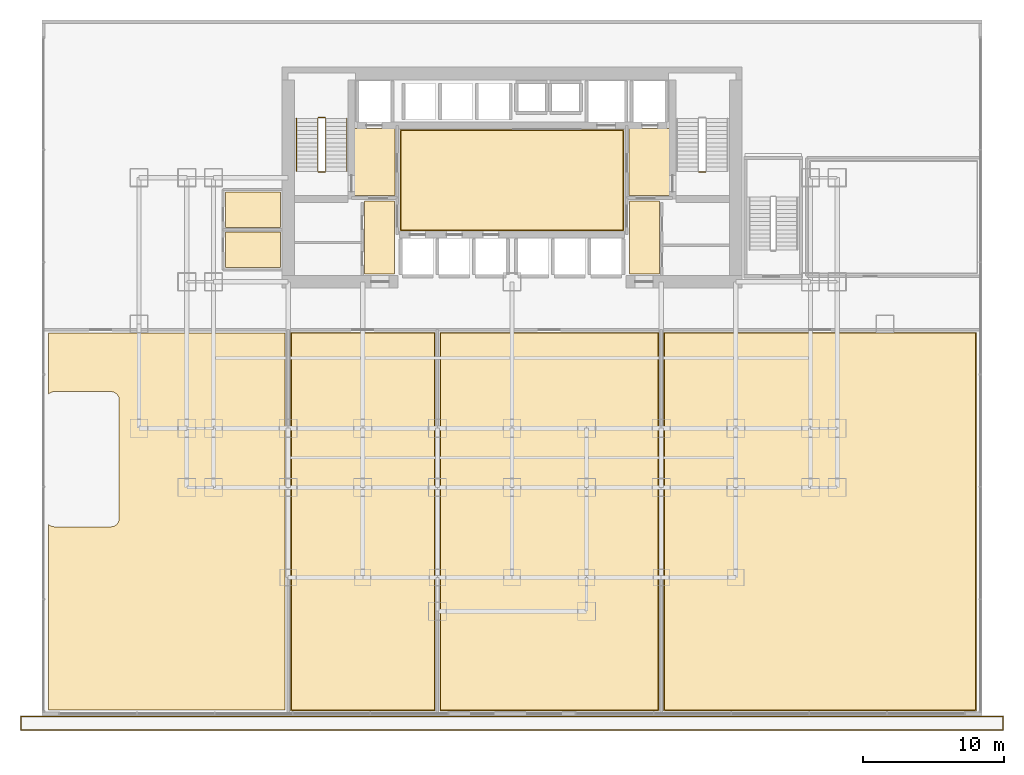
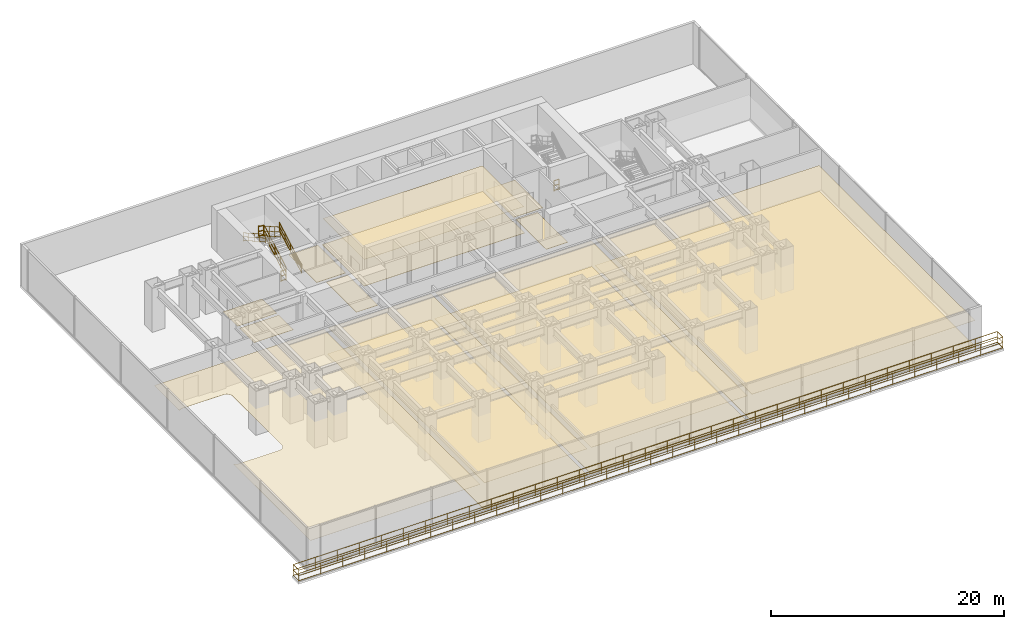
# One storey, part 12 of 13: 15 coverings, 8 railings.
"""IFC4 building model written with IfcOpenShell, lengths in metres."""

from ifc_helpers import new_model, si_unit, direction, frame, origin, origin_2d, place, context, subcontext, project, spatial, polyline, circle, outline, extrude, material, layer, layer_set, type_object, element, save


model = new_model("IFC4")

# Units and contexts
model_context = context("Model", 3, precision=1e-05, world=origin(), true_north=direction((0.0, 1.0)))
body_context = subcontext(model_context, "Body", "Model", "MODEL_VIEW")
ifc_project = project(units=[si_unit("LENGTHUNIT", "METRE"), si_unit("AREAUNIT", "SQUARE_METRE"), si_unit("VOLUMEUNIT", "CUBIC_METRE"), si_unit("PLANEANGLEUNIT", "RADIAN"), si_unit("MASSUNIT", "GRAM", prefix="KILO")], contexts=[model_context])

# Site, building, storey
site_placement = place(None, origin())
site = spatial("IfcSite", under=ifc_project, at=site_placement, CompositionType="ELEMENT")
building_placement = place(site_placement, origin())
building = spatial("IfcBuilding", under=site, at=building_placement, Name="Qianlan Lanfeng Residences", CompositionType="ELEMENT")
storey_placement = place(building_placement, frame((0.0, 0.0, 9.800048828125)))
storey = spatial("IfcBuildingStorey", under=building, at=storey_placement, Name="L02", CompositionType="ELEMENT", Elevation=9.800048828125)

# Coverings
ifc_material_1 = material(Name="Acoustic Perforated Gypsum Ceiling Board")
ifc_layer_1 = layer(ifc_material_1, 0.02001953125)
ifc_layer_set_1 = layer_set([ifc_layer_1], Name="Acoustic Perforated Gypsum Ceiling Board")
covering_type_1 = type_object("IfcCoveringType", Name="CLG-GYP-15", PredefinedType="CEILING", material=ifc_layer_set_1)
covering_1_placement = place(storey_placement, frame((0.0, 0.0, 2.75)))
element("IfcCovering", 1, at=covering_1_placement, inside=storey, type_object=covering_type_1, Name="L02 Lift Lobby Suspended Ceiling", PredefinedType="CEILING", context=body_context, shape_type="SweptSolid", body=[
    extrude(outline(polyline([(18.60009765625, 28.8701171875), (34.39990234375, 28.8701171875), (34.39990234375, 35.9599609375), (18.60009765625, 35.9599609375), (18.60009765625, 28.8701171875)])), origin(), (0.0, 0.0, 1.0), 0.02001953125),
])
covering_2_placement = place(storey_placement, frame((0.0, 0.0, 2.75)))
element("IfcCovering", 2, at=covering_2_placement, inside=storey, type_object=covering_type_1, Name="L02 Childcare Nursery Suspended Ceiling", PredefinedType="CEILING", context=body_context, shape_type="SweptSolid", body=[
    extrude(outline(polyline([(-6.429931640625, -5.22998046875), (10.3798828125, -5.22998046875), (10.3798828125, 21.56005859375), (-6.429931640625, 21.56005859375), (-6.429931640625, 17.218017578125), (-6.412109375, 17.236083984375), (-6.39404296875, 17.2529296875), (-6.366943359375, 17.27392578125), (-6.346923828125, 17.2890625), (-6.319091796875, 17.30810546875), (-6.298095703125, 17.321044921875), (-6.26708984375, 17.3369140625), (-6.2451171875, 17.346923828125), (-6.214111328125, 17.361083984375), (-6.18994140625, 17.368896484375), (-6.157958984375, 17.37890625), (-6.134033203125, 17.385009765625), (-6.10009765625, 17.39111328125), (-6.075927734375, 17.39501953125), (-6.0419921875, 17.39794921875), (-6.01708984375, 17.39990234375), (-6.0, 17.39990234375), (-2.0, 17.39990234375), (-1.98291015625, 17.39990234375), (-1.9580078125, 17.39794921875), (-1.924072265625, 17.39501953125), (-1.89990234375, 17.39111328125), (-1.865966796875, 17.385009765625), (-1.842041015625, 17.37890625), (-1.81005859375, 17.368896484375), (-1.785888671875, 17.361083984375), (-1.7548828125, 17.346923828125), (-1.73291015625, 17.3369140625), (-1.701904296875, 17.321044921875), (-1.680908203125, 17.30810546875), (-1.653076171875, 17.2890625), (-1.633056640625, 17.27392578125), (-1.60595703125, 17.2529296875), (-1.587890625, 17.236083984375), (-1.56396484375, 17.2119140625), (-1.547119140625, 17.194091796875), (-1.52587890625, 17.1669921875), (-1.510986328125, 17.14697265625), (-1.491943359375, 17.118896484375), (-1.47900390625, 17.097900390625), (-1.462890625, 17.06689453125), (-1.452880859375, 17.044921875), (-1.43896484375, 17.013916015625), (-1.430908203125, 16.989990234375), (-1.4208984375, 16.9580078125), (-1.4150390625, 16.93408203125), (-1.408935546875, 16.89990234375), (-1.405029296875, 16.8759765625), (-1.402099609375, 16.842041015625), (-1.39990234375, 16.81689453125), (-1.39990234375, 16.800048828125), (-1.39990234375, 8.39990234375), (-1.39990234375, 8.383056640625), (-1.402099609375, 8.35791015625), (-1.405029296875, 8.323974609375), (-1.408935546875, 8.300048828125), (-1.4150390625, 8.26611328125), (-1.4208984375, 8.241943359375), (-1.430908203125, 8.2099609375), (-1.43896484375, 8.18603515625), (-1.452880859375, 8.155029296875), (-1.462890625, 8.133056640625), (-1.47900390625, 8.10205078125), (-1.491943359375, 8.0810546875), (-1.510986328125, 8.052978515625), (-1.52587890625, 8.032958984375), (-1.547119140625, 8.006103515625), (-1.56396484375, 7.988037109375), (-1.587890625, 7.964111328125), (-1.60595703125, 7.947021484375), (-1.633056640625, 7.926025390625), (-1.653076171875, 7.910888671875), (-1.680908203125, 7.89208984375), (-1.701904296875, 7.87890625), (-1.73291015625, 7.863037109375), (-1.7548828125, 7.85302734375), (-1.785888671875, 7.839111328125), (-1.81005859375, 7.8310546875), (-1.842041015625, 7.821044921875), (-1.865966796875, 7.81494140625), (-1.89990234375, 7.80908203125), (-1.924072265625, 7.804931640625), (-1.9580078125, 7.802001953125), (-1.98291015625, 7.800048828125), (-2.0, 7.800048828125), (-6.0, 7.800048828125), (-6.01708984375, 7.800048828125), (-6.0419921875, 7.802001953125), (-6.075927734375, 7.804931640625), (-6.10009765625, 7.80908203125), (-6.134033203125, 7.81494140625), (-6.157958984375, 7.821044921875), (-6.18994140625, 7.8310546875), (-6.214111328125, 7.839111328125), (-6.2451171875, 7.85302734375), (-6.26708984375, 7.863037109375), (-6.298095703125, 7.87890625), (-6.319091796875, 7.89208984375), (-6.346923828125, 7.910888671875), (-6.366943359375, 7.926025390625), (-6.39404296875, 7.947021484375), (-6.412109375, 7.964111328125), (-6.429931640625, 7.98193359375), (-6.429931640625, -5.22998046875)])), origin(), (0.0, 0.0, 1.0), 0.02001953125),
])
covering_3_placement = place(storey_placement, frame((0.0, 0.0, 2.75)))
element("IfcCovering", 3, at=covering_3_placement, inside=storey, type_object=covering_type_1, Name="L02 Children Playroom Suspended Ceiling", PredefinedType="CEILING", context=body_context, shape_type="SweptSolid", body=[
    extrude(outline(polyline([(10.820068359375, -5.22998046875), (20.97998046875, -5.22998046875), (20.97998046875, 21.56005859375), (10.820068359375, 21.56005859375), (10.820068359375, -5.22998046875)])), origin(), (0.0, 0.0, 1.0), 0.02001953125),
])
covering_4_placement = place(storey_placement, frame((0.0, 0.0, 2.75)))
element("IfcCovering", 4, at=covering_4_placement, inside=storey, type_object=covering_type_1, Name="L02 Aerobics Studio Suspended Ceiling", PredefinedType="CEILING", context=body_context, shape_type="SweptSolid", body=[
    extrude(outline(polyline([(21.419921875, -5.22998046875), (36.8798828125, -5.22998046875), (36.8798828125, 21.56005859375), (21.419921875, 21.56005859375), (21.419921875, -5.22998046875)])), origin(), (0.0, 0.0, 1.0), 0.02001953125),
])
covering_5_placement = place(storey_placement, frame((0.0, 0.0, 2.75)))
element("IfcCovering", 5, at=covering_5_placement, inside=storey, type_object=covering_type_1, Name="L02 Fitness Gymnasium Suspended Ceiling", PredefinedType="CEILING", context=body_context, shape_type="SweptSolid", body=[
    extrude(outline(polyline([(37.320068359375, -5.22998046875), (59.429931640625, -5.22998046875), (59.429931640625, 21.56005859375), (37.320068359375, 21.56005859375), (37.320068359375, -5.22998046875)])), origin(), (0.0, 0.0, 1.0), 0.02001953125),
])
ifc_material_2 = material(Name="Honed Taitung Granite Stone Flooring", Category="masonry")
ifc_layer_2 = layer(ifc_material_2, 0.030029296875)
ifc_layer_set_2 = layer_set([ifc_layer_2], Name="Honed Taitung Granite Stone Flooring")
covering_type_2 = type_object("IfcCoveringType", Name="FLR-STN-30", PredefinedType="FLOORING", material=ifc_layer_set_2)
covering_6_placement = place(storey_placement, origin())
element("IfcCovering", 6, at=covering_6_placement, inside=storey, type_object=covering_type_2, Name="L02 Firefighting Lift Lobby Floor Finish", PredefinedType="FLOORING", context=body_context, shape_type="SweptSolid", body=[
    extrude(outline(polyline([(15.2900390625, 31.320068359375), (18.179931640625, 31.320068359375), (18.179931640625, 36.110107421875), (15.2900390625, 36.110107421875), (15.2900390625, 31.320068359375)])), origin(), (0.0, 0.0, 1.0), 0.030029296875),
])
covering_7_placement = place(storey_placement, origin())
element("IfcCovering", 7, at=covering_7_placement, inside=storey, type_object=covering_type_2, Name="L02 Firefighting Lift Lobby Floor Finish", PredefinedType="FLOORING", context=body_context, shape_type="SweptSolid", body=[
    extrude(outline(polyline([(34.820068359375, 31.320068359375), (37.7099609375, 31.320068359375), (37.7099609375, 36.110107421875), (34.820068359375, 36.110107421875), (34.820068359375, 31.320068359375)])), origin(), (0.0, 0.0, 1.0), 0.030029296875),
])
covering_8_placement = place(storey_placement, origin())
element("IfcCovering", 8, at=covering_8_placement, inside=storey, type_object=covering_type_2, Name="L02 Lift Lobby Floor Finish", PredefinedType="FLOORING", context=body_context, shape_type="SweptSolid", body=[
    extrude(outline(polyline([(18.550048828125, 28.820068359375), (34.449951171875, 28.820068359375), (34.449951171875, 36.010009765625), (18.550048828125, 36.010009765625), (18.550048828125, 28.820068359375)])), origin(), (0.0, 0.0, 1.0), 0.030029296875),
])
covering_9_placement = place(storey_placement, origin())
element("IfcCovering", 9, at=covering_9_placement, inside=storey, type_object=covering_type_2, Name="L02 Lift Lobby Floor Finish", PredefinedType="FLOORING", context=body_context, shape_type="SweptSolid", body=[
    extrude(outline(polyline([(16.030029296875, 25.77001953125), (18.169921875, 25.77001953125), (18.169921875, 30.949951171875), (16.030029296875, 30.949951171875), (16.030029296875, 25.77001953125)])), origin(), (0.0, 0.0, 1.0), 0.030029296875),
])
covering_10_placement = place(storey_placement, origin())
element("IfcCovering", 10, at=covering_10_placement, inside=storey, type_object=covering_type_2, Name="L02 Lift Lobby Floor Finish", PredefinedType="FLOORING", context=body_context, shape_type="SweptSolid", body=[
    extrude(outline(polyline([(34.830078125, 25.77001953125), (36.969970703125, 25.77001953125), (36.969970703125, 30.949951171875), (34.830078125, 30.949951171875), (34.830078125, 25.77001953125)])), origin(), (0.0, 0.0, 1.0), 0.030029296875),
])
ifc_material_3 = material(Name="Slip-Resistant Porcelain Tile Flooring")
ifc_layer_3 = layer(ifc_material_3, 0.02001953125)
ifc_layer_set_3 = layer_set([ifc_layer_3], Name="Slip-Resistant Porcelain Tile Flooring")
covering_type_3 = type_object("IfcCoveringType", Name="FLR-TIL-20", PredefinedType="FLOORING", material=ifc_layer_set_3)
covering_11_placement = place(storey_placement, origin())
element("IfcCovering", 11, at=covering_11_placement, inside=storey, type_object=covering_type_3, Name="L02 Public Restroom Floor Finish", PredefinedType="FLOORING", context=body_context, shape_type="SweptSolid", body=[
    extrude(outline(polyline([(6.14990234375, 26.219970703125), (10.0400390625, 26.219970703125), (10.0400390625, 28.72998046875), (6.14990234375, 28.72998046875), (6.14990234375, 26.219970703125)])), origin(), (0.0, 0.0, 1.0), 0.02001953125),
])
covering_12_placement = place(storey_placement, origin())
element("IfcCovering", 12, at=covering_12_placement, inside=storey, type_object=covering_type_3, Name="L02 Accessible WC Floor Finish", PredefinedType="FLOORING", context=body_context, shape_type="SweptSolid", body=[
    extrude(outline(polyline([(6.14990234375, 29.070068359375), (10.0400390625, 29.070068359375), (10.0400390625, 31.580078125), (6.14990234375, 31.580078125), (6.14990234375, 29.070068359375)])), origin(), (0.0, 0.0, 1.0), 0.02001953125),
])
ifc_material_4 = material(Name="Engineered Smoked Oak Timber Flooring", Category="wood")
ifc_layer_4 = layer(ifc_material_4, 0.02197265625)
ifc_layer_set_4 = layer_set([ifc_layer_4], Name="Engineered Smoked Oak Timber Flooring")
covering_type_4 = type_object("IfcCoveringType", Name="FLR-TIM-22", PredefinedType="FLOORING", material=ifc_layer_set_4)
covering_13_placement = place(storey_placement, origin())
element("IfcCovering", 13, at=covering_13_placement, inside=storey, type_object=covering_type_4, Name="L02 Children Playroom Floor Finish", PredefinedType="FLOORING", context=body_context, shape_type="SweptSolid", body=[
    extrude(outline(polyline([(10.77001953125, -5.280029296875), (21.030029296875, -5.280029296875), (21.030029296875, 21.610107421875), (10.77001953125, 21.610107421875), (10.77001953125, -5.280029296875)])), origin(), (0.0, 0.0, 1.0), 0.02197265625),
])
covering_14_placement = place(storey_placement, origin())
element("IfcCovering", 14, at=covering_14_placement, inside=storey, type_object=covering_type_4, Name="L02 Aerobics Studio Floor Finish", PredefinedType="FLOORING", context=body_context, shape_type="SweptSolid", body=[
    extrude(outline(polyline([(21.3701171875, -5.280029296875), (36.929931640625, -5.280029296875), (36.929931640625, 21.610107421875), (21.3701171875, 21.610107421875), (21.3701171875, -5.280029296875)])), origin(), (0.0, 0.0, 1.0), 0.02197265625),
])
covering_15_placement = place(storey_placement, origin())
element("IfcCovering", 15, at=covering_15_placement, inside=storey, type_object=covering_type_4, Name="L02 Fitness Gymnasium Floor Finish", PredefinedType="FLOORING", context=body_context, shape_type="SweptSolid", body=[
    extrude(outline(polyline([(37.27001953125, -5.280029296875), (59.47998046875, -5.280029296875), (59.47998046875, 21.610107421875), (37.27001953125, 21.610107421875), (37.27001953125, -5.280029296875)])), origin(), (0.0, 0.0, 1.0), 0.02197265625),
])

# Railings
ifc_material_5 = material(Name="Anodised Bronze Aluminium and Laminated Glass Guard Balustrade", Category="aluminium")
railing_type_1 = type_object("IfcRailingType", Name="GR-EXT-1220", PredefinedType="BALUSTRADE", material=ifc_material_5)
railing_1_placement = place(storey_placement, frame((-8.3798828125, -5.669921875, 0.0)))
element("IfcRailing", 16, at=railing_1_placement, inside=storey, type_object=railing_type_1, Name="L02 Terrace Safety Guard GR-L02-TER", PredefinedType="BALUSTRADE", context=body_context, shape_type="SweptSolid", body=[
    extrude(circle(Radius=0.02490234375, at=origin_2d()), frame((0.0, 0.0, 0.0849609375), z_axis=(1.0, 0.0, 0.0), x_axis=(0.0, 1.0, 0.0)), (0.0, 0.0, 1.0), 69.759765625),
    extrude(circle(Radius=0.02490234375, at=origin_2d()), frame((0.0, 0.0, 0.63427734375), z_axis=(1.0, 0.0, 0.0), x_axis=(0.0, 1.0, 0.0)), (0.0, 0.0, 1.0), 69.759765625),
    extrude(circle(Radius=0.02490234375, at=origin_2d()), frame((0.0, 0.0, 1.19482421875), z_axis=(1.0, 0.0, 0.0), x_axis=(0.0, 1.0, 0.0)), (0.0, 0.0, 1.0), 69.759765625),
    extrude(circle(Radius=0.02490234375, at=origin_2d()), frame((69.759765625, 0.0, 0.0849609375), z_axis=(0.0, -1.0, 0.0), x_axis=(1.0, 0.0, 0.0)), (0.0, 0.0, 1.0), 0.9599609375),
    extrude(circle(Radius=0.02490234375, at=origin_2d()), frame((69.759765625, 0.0, 0.63427734375), z_axis=(0.0, -1.0, 0.0), x_axis=(1.0, 0.0, 0.0)), (0.0, 0.0, 1.0), 0.9599609375),
    extrude(circle(Radius=0.02490234375, at=origin_2d()), frame((69.759765625, 0.0, 1.19482421875), z_axis=(0.0, -1.0, 0.0), x_axis=(1.0, 0.0, 0.0)), (0.0, 0.0, 1.0), 0.9599609375),
    extrude(circle(Radius=0.02490234375, at=origin_2d()), frame((69.759765625, -0.9599609375, 0.0849609375), z_axis=(-1.0, 0.0, 0.0), x_axis=(0.0, -1.0, 0.0)), (0.0, 0.0, 1.0), 69.759765625),
    extrude(circle(Radius=0.02490234375, at=origin_2d()), frame((69.759765625, -0.9599609375, 0.63427734375), z_axis=(-1.0, 0.0, 0.0), x_axis=(0.0, -1.0, 0.0)), (0.0, 0.0, 1.0), 69.759765625),
    extrude(circle(Radius=0.02490234375, at=origin_2d()), frame((69.759765625, -0.9599609375, 1.19482421875), z_axis=(-1.0, 0.0, 0.0), x_axis=(0.0, -1.0, 0.0)), (0.0, 0.0, 1.0), 69.759765625),
    extrude(circle(Radius=0.02490234375, at=origin_2d()), frame((0.0, -0.9599609375, 0.0849609375), z_axis=(0.0, 1.0, 0.0), x_axis=(-1.0, 0.0, 0.0)), (0.0, 0.0, 1.0), 0.9599609375),
    extrude(circle(Radius=0.02490234375, at=origin_2d()), frame((0.0, -0.9599609375, 0.63427734375), z_axis=(0.0, 1.0, 0.0), x_axis=(-1.0, 0.0, 0.0)), (0.0, 0.0, 1.0), 0.9599609375),
    extrude(circle(Radius=0.02490234375, at=origin_2d()), frame((0.0, -0.9599609375, 1.19482421875), z_axis=(0.0, 1.0, 0.0), x_axis=(-1.0, 0.0, 0.0)), (0.0, 0.0, 1.0), 0.9599609375),
    extrude(circle(Radius=0.02099609375, at=origin_2d()), origin(), (0.0, 0.0, 1.0), 1.169921875),
    extrude(circle(Radius=0.02099609375, at=origin_2d()), frame((2.179931640625, 0.0, 0.0)), (0.0, 0.0, 1.0), 1.169921875),
    extrude(circle(Radius=0.02099609375, at=origin_2d()), frame((4.35986328125, 0.0, 0.0)), (0.0, 0.0, 1.0), 1.169921875),
    extrude(circle(Radius=0.02099609375, at=origin_2d()), frame((6.5400390625, 0.0, 0.0)), (0.0, 0.0, 1.0), 1.169921875),
    extrude(circle(Radius=0.02099609375, at=origin_2d()), frame((8.719970703125, 0.0, 0.0)), (0.0, 0.0, 1.0), 1.169921875),
    extrude(circle(Radius=0.02099609375, at=origin_2d()), frame((10.89990234375, 0.0, 0.0)), (0.0, 0.0, 1.0), 1.169921875),
    extrude(circle(Radius=0.02099609375, at=origin_2d()), frame((13.080078125, 0.0, 0.0)), (0.0, 0.0, 1.0), 1.169921875),
    extrude(circle(Radius=0.02099609375, at=origin_2d()), frame((15.260009765625, 0.0, 0.0)), (0.0, 0.0, 1.0), 1.169921875),
    extrude(circle(Radius=0.02099609375, at=origin_2d()), frame((17.43994140625, 0.0, 0.0)), (0.0, 0.0, 1.0), 1.169921875),
    extrude(circle(Radius=0.02099609375, at=origin_2d()), frame((19.619873046875, 0.0, 0.0)), (0.0, 0.0, 1.0), 1.169921875),
    extrude(circle(Radius=0.02099609375, at=origin_2d()), frame((21.7998046875, 0.0, 0.0)), (0.0, 0.0, 1.0), 1.169921875),
    extrude(circle(Radius=0.02099609375, at=origin_2d()), frame((23.97998046875, 0.0, 0.0)), (0.0, 0.0, 1.0), 1.169921875),
    extrude(circle(Radius=0.02099609375, at=origin_2d()), frame((26.159912109375, 0.0, 0.0)), (0.0, 0.0, 1.0), 1.169921875),
    extrude(circle(Radius=0.02099609375, at=origin_2d()), frame((28.33984375, 0.0, 0.0)), (0.0, 0.0, 1.0), 1.169921875),
    extrude(circle(Radius=0.02099609375, at=origin_2d()), frame((30.52001953125, 0.0, 0.0)), (0.0, 0.0, 1.0), 1.169921875),
    extrude(circle(Radius=0.02099609375, at=origin_2d()), frame((32.699951171875, 0.0, 0.0)), (0.0, 0.0, 1.0), 1.169921875),
    extrude(circle(Radius=0.02099609375, at=origin_2d()), frame((34.8798828125, 0.0, 0.0)), (0.0, 0.0, 1.0), 1.169921875),
    extrude(circle(Radius=0.02099609375, at=origin_2d()), frame((37.059814453125, 0.0, 0.0)), (0.0, 0.0, 1.0), 1.169921875),
    extrude(circle(Radius=0.02099609375, at=origin_2d()), frame((39.23974609375, 0.0, 0.0)), (0.0, 0.0, 1.0), 1.169921875),
    extrude(circle(Radius=0.02099609375, at=origin_2d()), frame((41.419921875, 0.0, 0.0)), (0.0, 0.0, 1.0), 1.169921875),
    extrude(circle(Radius=0.02099609375, at=origin_2d()), frame((43.599853515625, 0.0, 0.0)), (0.0, 0.0, 1.0), 1.169921875),
    extrude(circle(Radius=0.02099609375, at=origin_2d()), frame((45.77978515625, 0.0, 0.0)), (0.0, 0.0, 1.0), 1.169921875),
    extrude(circle(Radius=0.02099609375, at=origin_2d()), frame((47.9599609375, 0.0, 0.0)), (0.0, 0.0, 1.0), 1.169921875),
    extrude(circle(Radius=0.02099609375, at=origin_2d()), frame((50.139892578125, 0.0, 0.0)), (0.0, 0.0, 1.0), 1.169921875),
    extrude(circle(Radius=0.02099609375, at=origin_2d()), frame((52.31982421875, 0.0, 0.0)), (0.0, 0.0, 1.0), 1.169921875),
    extrude(circle(Radius=0.02099609375, at=origin_2d()), frame((54.499755859375, 0.0, 0.0)), (0.0, 0.0, 1.0), 1.169921875),
    extrude(circle(Radius=0.02099609375, at=origin_2d()), frame((56.6796875, 0.0, 0.0)), (0.0, 0.0, 1.0), 1.169921875),
    extrude(circle(Radius=0.02099609375, at=origin_2d()), frame((58.85986328125, 0.0, 0.0)), (0.0, 0.0, 1.0), 1.169921875),
    extrude(circle(Radius=0.02099609375, at=origin_2d()), frame((61.039794921875, 0.0, 0.0)), (0.0, 0.0, 1.0), 1.169921875),
    extrude(circle(Radius=0.02099609375, at=origin_2d()), frame((63.2197265625, 0.0, 0.0)), (0.0, 0.0, 1.0), 1.169921875),
    extrude(circle(Radius=0.02099609375, at=origin_2d()), frame((65.39990234375, 0.0, 0.0)), (0.0, 0.0, 1.0), 1.169921875),
    extrude(circle(Radius=0.02099609375, at=origin_2d()), frame((67.579833984375, 0.0, 0.0)), (0.0, 0.0, 1.0), 1.169921875),
    extrude(circle(Radius=0.02099609375, at=origin_2d()), frame((69.759765625, 0.0, 0.0)), (0.0, 0.0, 1.0), 1.169921875),
    extrude(circle(Radius=0.02099609375, at=origin_2d()), frame((69.759765625, -0.9599609375, 0.0)), (0.0, 0.0, 1.0), 1.169921875),
    extrude(circle(Radius=0.02099609375, at=origin_2d()), frame((67.579833984375, -0.9599609375, 0.0)), (0.0, 0.0, 1.0), 1.169921875),
    extrude(circle(Radius=0.02099609375, at=origin_2d()), frame((65.39990234375, -0.9599609375, 0.0)), (0.0, 0.0, 1.0), 1.169921875),
    extrude(circle(Radius=0.02099609375, at=origin_2d()), frame((63.2197265625, -0.9599609375, 0.0)), (0.0, 0.0, 1.0), 1.169921875),
    extrude(circle(Radius=0.02099609375, at=origin_2d()), frame((61.039794921875, -0.9599609375, 0.0)), (0.0, 0.0, 1.0), 1.169921875),
    extrude(circle(Radius=0.02099609375, at=origin_2d()), frame((58.85986328125, -0.9599609375, 0.0)), (0.0, 0.0, 1.0), 1.169921875),
    extrude(circle(Radius=0.02099609375, at=origin_2d()), frame((56.6796875, -0.9599609375, 0.0)), (0.0, 0.0, 1.0), 1.169921875),
    extrude(circle(Radius=0.02099609375, at=origin_2d()), frame((54.499755859375, -0.9599609375, 0.0)), (0.0, 0.0, 1.0), 1.169921875),
    extrude(circle(Radius=0.02099609375, at=origin_2d()), frame((52.31982421875, -0.9599609375, 0.0)), (0.0, 0.0, 1.0), 1.169921875),
    extrude(circle(Radius=0.02099609375, at=origin_2d()), frame((50.139892578125, -0.9599609375, 0.0)), (0.0, 0.0, 1.0), 1.169921875),
    extrude(circle(Radius=0.02099609375, at=origin_2d()), frame((47.9599609375, -0.9599609375, 0.0)), (0.0, 0.0, 1.0), 1.169921875),
    extrude(circle(Radius=0.02099609375, at=origin_2d()), frame((45.77978515625, -0.9599609375, 0.0)), (0.0, 0.0, 1.0), 1.169921875),
    extrude(circle(Radius=0.02099609375, at=origin_2d()), frame((43.599853515625, -0.9599609375, 0.0)), (0.0, 0.0, 1.0), 1.169921875),
    extrude(circle(Radius=0.02099609375, at=origin_2d()), frame((41.419921875, -0.9599609375, 0.0)), (0.0, 0.0, 1.0), 1.169921875),
    extrude(circle(Radius=0.02099609375, at=origin_2d()), frame((39.23974609375, -0.9599609375, 0.0)), (0.0, 0.0, 1.0), 1.169921875),
    extrude(circle(Radius=0.02099609375, at=origin_2d()), frame((37.059814453125, -0.9599609375, 0.0)), (0.0, 0.0, 1.0), 1.169921875),
    extrude(circle(Radius=0.02099609375, at=origin_2d()), frame((34.8798828125, -0.9599609375, 0.0)), (0.0, 0.0, 1.0), 1.169921875),
    extrude(circle(Radius=0.02099609375, at=origin_2d()), frame((32.699951171875, -0.9599609375, 0.0)), (0.0, 0.0, 1.0), 1.169921875),
    extrude(circle(Radius=0.02099609375, at=origin_2d()), frame((30.52001953125, -0.9599609375, 0.0)), (0.0, 0.0, 1.0), 1.169921875),
    extrude(circle(Radius=0.02099609375, at=origin_2d()), frame((28.33984375, -0.9599609375, 0.0)), (0.0, 0.0, 1.0), 1.169921875),
    extrude(circle(Radius=0.02099609375, at=origin_2d()), frame((26.159912109375, -0.9599609375, 0.0)), (0.0, 0.0, 1.0), 1.169921875),
    extrude(circle(Radius=0.02099609375, at=origin_2d()), frame((23.97998046875, -0.9599609375, 0.0)), (0.0, 0.0, 1.0), 1.169921875),
    extrude(circle(Radius=0.02099609375, at=origin_2d()), frame((21.7998046875, -0.9599609375, 0.0)), (0.0, 0.0, 1.0), 1.169921875),
    extrude(circle(Radius=0.02099609375, at=origin_2d()), frame((19.619873046875, -0.9599609375, 0.0)), (0.0, 0.0, 1.0), 1.169921875),
    extrude(circle(Radius=0.02099609375, at=origin_2d()), frame((17.43994140625, -0.9599609375, 0.0)), (0.0, 0.0, 1.0), 1.169921875),
    extrude(circle(Radius=0.02099609375, at=origin_2d()), frame((15.260009765625, -0.9599609375, 0.0)), (0.0, 0.0, 1.0), 1.169921875),
    extrude(circle(Radius=0.02099609375, at=origin_2d()), frame((13.080078125, -0.9599609375, 0.0)), (0.0, 0.0, 1.0), 1.169921875),
    extrude(circle(Radius=0.02099609375, at=origin_2d()), frame((10.89990234375, -0.9599609375, 0.0)), (0.0, 0.0, 1.0), 1.169921875),
    extrude(circle(Radius=0.02099609375, at=origin_2d()), frame((8.719970703125, -0.9599609375, 0.0)), (0.0, 0.0, 1.0), 1.169921875),
    extrude(circle(Radius=0.02099609375, at=origin_2d()), frame((6.5400390625, -0.9599609375, 0.0)), (0.0, 0.0, 1.0), 1.169921875),
    extrude(circle(Radius=0.02099609375, at=origin_2d()), frame((4.35986328125, -0.9599609375, 0.0)), (0.0, 0.0, 1.0), 1.169921875),
    extrude(circle(Radius=0.02099609375, at=origin_2d()), frame((2.179931640625, -0.9599609375, 0.0)), (0.0, 0.0, 1.0), 1.169921875),
    extrude(circle(Radius=0.02099609375, at=origin_2d()), frame((0.0, -0.9599609375, 0.0)), (0.0, 0.0, 1.0), 1.169921875),
])
ifc_material_6 = material(Name="Painted Galvanised Steel Guardrail", Category="steel")
railing_type_2 = type_object("IfcRailingType", Name="GR-ST-1120", PredefinedType="GUARDRAIL", material=ifc_material_6)
railing_2_placement = place(storey_placement, frame((13.27001953125, 33.050048828125, 0.164306640625)))
element("IfcRailing", 17, at=railing_2_placement, inside=storey, type_object=railing_type_2, Name="L02 ST-1 stair guard 1", PredefinedType="GUARDRAIL", context=body_context, shape_type="SweptSolid", body=[
    extrude(circle(Radius=0.02392578125, at=origin_2d()), frame((0.0, 0.0, 0.083984375), z_axis=(0.0, 0.870081794457, 0.492907365491), x_axis=(-1.0, 0.0, 0.0)), (0.0, 0.0, 1.0), 4.3330078125),
    extrude(circle(Radius=0.02392578125, at=origin_2d()), frame((0.0, 0.0, 0.58251953125), z_axis=(0.0, 0.870081794457, 0.492907365491), x_axis=(-1.0, 0.0, 0.0)), (0.0, 0.0, 1.0), 4.3330078125),
    extrude(circle(Radius=0.02392578125, at=origin_2d()), frame((0.0, 0.0, 1.09619140625), z_axis=(0.0, 0.870081794457, 0.492907365491), x_axis=(-1.0, 0.0, 0.0)), (0.0, 0.0, 1.0), 4.3330078125),
    extrude(circle(Radius=0.02099609375, at=origin_2d()), origin(), (0.0, 0.0, 1.0), 1.072021484375),
    extrude(circle(Radius=0.02099609375, at=origin_2d()), frame((0.0, 0.9423828125, 0.533935546875)), (0.0, 0.0, 1.0), 1.072021484375),
    extrude(circle(Radius=0.02099609375, at=origin_2d()), frame((0.0, 1.885009765625, 1.06787109375)), (0.0, 0.0, 1.0), 1.072021484375),
    extrude(circle(Radius=0.02099609375, at=origin_2d()), frame((0.0, 2.82763671875, 1.601806640625)), (0.0, 0.0, 1.0), 1.072021484375),
    extrude(circle(Radius=0.02099609375, at=origin_2d()), frame((0.0, 3.77001953125, 2.1357421875)), (0.0, 0.0, 1.0), 1.072021484375),
])
railing_3_placement = place(storey_placement, frame((13.219970703125, 36.8701171875, 2.300048828125)))
element("IfcRailing", 18, at=railing_3_placement, inside=storey, type_object=railing_type_2, Name="L02 ST-1 stair guard 2", PredefinedType="GUARDRAIL", context=body_context, shape_type="SweptSolid", body=[
    extrude(circle(Radius=0.02392578125, at=origin_2d()), frame((0.0, 0.0, 0.083984375), z_axis=(-1.0, 0.0, 0.0), x_axis=(0.0, -1.0, 0.0)), (0.0, 0.0, 1.0), 0.47998046875),
    extrude(circle(Radius=0.02392578125, at=origin_2d()), frame((0.0, 0.0, 0.58251953125), z_axis=(-1.0, 0.0, 0.0), x_axis=(0.0, -1.0, 0.0)), (0.0, 0.0, 1.0), 0.47998046875),
    extrude(circle(Radius=0.02392578125, at=origin_2d()), frame((0.0, 0.0, 1.09619140625), z_axis=(-1.0, 0.0, 0.0), x_axis=(0.0, -1.0, 0.0)), (0.0, 0.0, 1.0), 0.47998046875),
    extrude(circle(Radius=0.02099609375, at=origin_2d()), origin(), (0.0, 0.0, 1.0), 1.072021484375),
    extrude(circle(Radius=0.02099609375, at=origin_2d()), frame((-0.47998046875, 0.0, 0.0)), (0.0, 0.0, 1.0), 1.072021484375),
])
railing_4_placement = place(storey_placement, frame((12.68994140625, 36.820068359375, 2.46435546875)))
element("IfcRailing", 19, at=railing_4_placement, inside=storey, type_object=railing_type_2, Name="L02 ST-1 stair guard 3", PredefinedType="GUARDRAIL", context=body_context, shape_type="SweptSolid", body=[
    extrude(circle(Radius=0.02392578125, at=origin_2d()), frame((0.0, 0.0, 0.083984375), z_axis=(0.0, -0.870105958811, 0.492864708051), x_axis=(1.0, 0.0, 0.0)), (0.0, 0.0, 1.0), 4.332763671875),
    extrude(circle(Radius=0.02392578125, at=origin_2d()), frame((0.0, 0.0, 0.58251953125), z_axis=(0.0, -0.870105958811, 0.492864708051), x_axis=(1.0, 0.0, 0.0)), (0.0, 0.0, 1.0), 4.332763671875),
    extrude(circle(Radius=0.02392578125, at=origin_2d()), frame((0.0, 0.0, 1.09619140625), z_axis=(0.0, -0.870105958811, 0.492864708051), x_axis=(1.0, 0.0, 0.0)), (0.0, 0.0, 1.0), 4.332763671875),
    extrude(circle(Radius=0.02099609375, at=origin_2d()), origin(), (0.0, 0.0, 1.0), 1.072021484375),
    extrude(circle(Radius=0.02099609375, at=origin_2d()), frame((0.0, -0.9423828125, 0.533935546875)), (0.0, 0.0, 1.0), 1.072021484375),
    extrude(circle(Radius=0.02099609375, at=origin_2d()), frame((0.0, -1.885009765625, 1.06787109375)), (0.0, 0.0, 1.0), 1.072021484375),
    extrude(circle(Radius=0.02099609375, at=origin_2d()), frame((0.0, -2.82763671875, 1.6015625)), (0.0, 0.0, 1.0), 1.072021484375),
    extrude(circle(Radius=0.02099609375, at=origin_2d()), frame((0.0, -3.77001953125, 2.135498046875)), (0.0, 0.0, 1.0), 1.072021484375),
])
for number, where, name in (
    (20, (13.219970703125, 33.0, 0.0), "L02 ST-1 stair guard 4"),
    (21, (40.260009765625, 33.0, 0.0), "L02 ST-2 stair guard 4"),
):
    element("IfcRailing", number, at=place(storey_placement, frame(where)), inside=storey, type_object=railing_type_2, Name=name, PredefinedType="GUARDRAIL", context=body_context, shape_type="SweptSolid", body=[
        extrude(circle(Radius=0.02392578125, at=origin_2d()), frame((0.0, 0.0, 0.083984375), z_axis=(-1.0, 0.0, 0.0), x_axis=(0.0, -1.0, 0.0)), (0.0, 0.0, 1.0), 0.47998046875),
        extrude(circle(Radius=0.02392578125, at=origin_2d()), frame((0.0, 0.0, 0.58251953125), z_axis=(-1.0, 0.0, 0.0), x_axis=(0.0, -1.0, 0.0)), (0.0, 0.0, 1.0), 0.47998046875),
        extrude(circle(Radius=0.02392578125, at=origin_2d()), frame((0.0, 0.0, 1.09619140625), z_axis=(-1.0, 0.0, 0.0), x_axis=(0.0, -1.0, 0.0)), (0.0, 0.0, 1.0), 0.47998046875),
        extrude(circle(Radius=0.02099609375, at=origin_2d()), origin(), (0.0, 0.0, 1.0), 1.072021484375),
        extrude(circle(Radius=0.02099609375, at=origin_2d()), frame((-0.47998046875, 0.0, 0.0)), (0.0, 0.0, 1.0), 1.072021484375),
    ])
ifc_material_7 = material(Name="Brushed Stainless Steel Handrail", Category="steel")
railing_type_3 = type_object("IfcRailingType", Name="HR-ST-920", PredefinedType="HANDRAIL", material=ifc_material_7)
railing_5_placement = place(storey_placement, frame((14.77001953125, 33.050048828125, 0.164306640625)))
element("IfcRailing", 22, at=railing_5_placement, inside=storey, type_object=railing_type_3, Name="L02 ST-1 stair handrail 1", PredefinedType="HANDRAIL", context=body_context, shape_type="SweptSolid", body=[
    extrude(circle(Radius=0.02392578125, at=origin_2d()), frame((0.0, 0.0, 0.083984375), z_axis=(0.0, 0.870081794457, 0.492907365491), x_axis=(-1.0, 0.0, 0.0)), (0.0, 0.0, 1.0), 4.3330078125),
    extrude(circle(Radius=0.02392578125, at=origin_2d()), frame((0.0, 0.0, 0.468017578125), z_axis=(0.0, 0.870081794457, 0.492907365491), x_axis=(-1.0, 0.0, 0.0)), (0.0, 0.0, 1.0), 4.3330078125),
    extrude(circle(Radius=0.02392578125, at=origin_2d()), frame((0.0, 0.0, 0.8759765625), z_axis=(0.0, 0.870081794457, 0.492907365491), x_axis=(-1.0, 0.0, 0.0)), (0.0, 0.0, 1.0), 4.3330078125),
    extrude(circle(Radius=0.02099609375, at=origin_2d()), origin(), (0.0, 0.0, 1.0), 0.851806640625),
    extrude(circle(Radius=0.02099609375, at=origin_2d()), frame((0.0, 0.9423828125, 0.533935546875)), (0.0, 0.0, 1.0), 0.851806640625),
    extrude(circle(Radius=0.02099609375, at=origin_2d()), frame((0.0, 1.885009765625, 1.06787109375)), (0.0, 0.0, 1.0), 0.851806640625),
    extrude(circle(Radius=0.02099609375, at=origin_2d()), frame((0.0, 2.82763671875, 1.601806640625)), (0.0, 0.0, 1.0), 0.851806640625),
    extrude(circle(Radius=0.02099609375, at=origin_2d()), frame((0.0, 3.77001953125, 2.1357421875)), (0.0, 0.0, 1.0), 0.851806640625),
])
railing_6_placement = place(storey_placement, frame((11.18994140625, 36.820068359375, 2.46435546875)))
element("IfcRailing", 23, at=railing_6_placement, inside=storey, type_object=railing_type_3, Name="L02 ST-1 stair handrail 2", PredefinedType="HANDRAIL", context=body_context, shape_type="SweptSolid", body=[
    extrude(circle(Radius=0.02392578125, at=origin_2d()), frame((0.0, 0.0, 0.083984375), z_axis=(0.0, -0.870105958811, 0.492864708051), x_axis=(1.0, 0.0, 0.0)), (0.0, 0.0, 1.0), 4.332763671875),
    extrude(circle(Radius=0.02392578125, at=origin_2d()), frame((0.0, 0.0, 0.468017578125), z_axis=(0.0, -0.870105958811, 0.492864708051), x_axis=(1.0, 0.0, 0.0)), (0.0, 0.0, 1.0), 4.332763671875),
    extrude(circle(Radius=0.02392578125, at=origin_2d()), frame((0.0, 0.0, 0.8759765625), z_axis=(0.0, -0.870105958811, 0.492864708051), x_axis=(1.0, 0.0, 0.0)), (0.0, 0.0, 1.0), 4.332763671875),
    extrude(circle(Radius=0.02099609375, at=origin_2d()), origin(), (0.0, 0.0, 1.0), 0.851806640625),
    extrude(circle(Radius=0.02099609375, at=origin_2d()), frame((0.0, -0.9423828125, 0.533935546875)), (0.0, 0.0, 1.0), 0.851806640625),
    extrude(circle(Radius=0.02099609375, at=origin_2d()), frame((0.0, -1.885009765625, 1.06787109375)), (0.0, 0.0, 1.0), 0.851806640625),
    extrude(circle(Radius=0.02099609375, at=origin_2d()), frame((0.0, -2.82763671875, 1.6015625)), (0.0, 0.0, 1.0), 0.851806640625),
    extrude(circle(Radius=0.02099609375, at=origin_2d()), frame((0.0, -3.77001953125, 2.135498046875)), (0.0, 0.0, 1.0), 0.851806640625),
])

save(model, "model.ifc")
